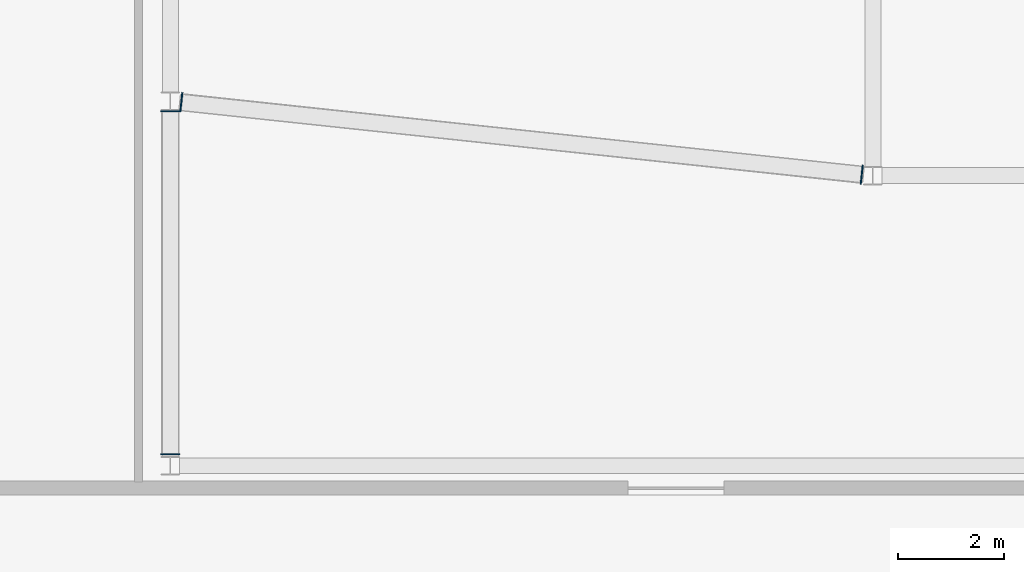
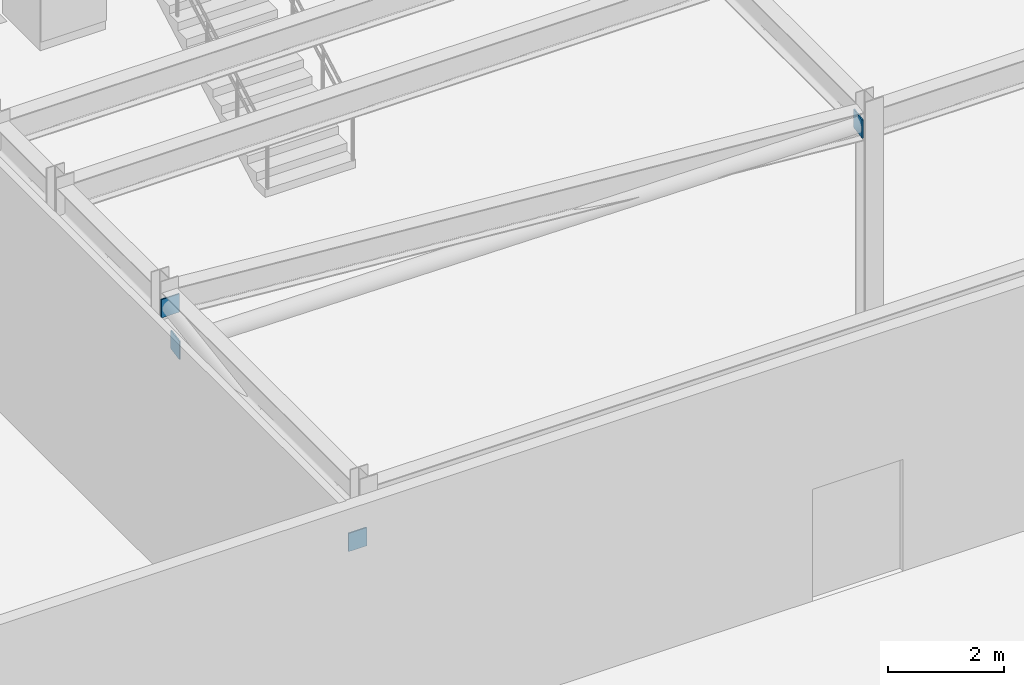
# One storey, part 5 of 20: 4 plates.
"""IFC4 building model written with IfcOpenShell, lengths in metres."""

from ifc_helpers import new_model, si_unit, direction, frame, origin, origin_2d, place, context, subcontext, project, spatial, rectangle, extrude, material, layer, layer_set, type_object, element, save


model = new_model("IFC4")

# Units and contexts
model_context = context("Model", 3, precision=1e-05, world=origin(), true_north=direction((0.0, 1.0)))
body_context = subcontext(model_context, "Body", "Model", "MODEL_VIEW")
ifc_project = project(units=[si_unit("LENGTHUNIT", "METRE"), si_unit("AREAUNIT", "SQUARE_METRE"), si_unit("VOLUMEUNIT", "CUBIC_METRE"), si_unit("PLANEANGLEUNIT", "RADIAN"), si_unit("MASSUNIT", "GRAM", prefix="KILO")], contexts=[model_context])

# Site, building, storey
site_placement = place(None, origin())
site = spatial("IfcSite", under=ifc_project, at=site_placement, CompositionType="ELEMENT")
building_placement = place(site_placement, origin())
building = spatial("IfcBuilding", under=site, at=building_placement, Name="Haolan Belvedere Tower", CompositionType="ELEMENT")
storey_placement = place(building_placement, origin())
storey = spatial("IfcBuildingStorey", under=building, at=storey_placement, Name="L00", CompositionType="ELEMENT", Elevation=0.0)

# Plates
ifc_material = material(Name="Steel Q355B", Category="steel")
ifc_layer = layer(ifc_material, 0.02490234375, Name="Steel Q355B")
ifc_layer_set = layer_set([ifc_layer], Name="Steel Q355B")
plate_type = type_object("IfcPlateType", Name="PL-CAP-25", PredefinedType="SHEET", material=ifc_layer_set)
for number, where, z_axis, x_axis, name in (
    (1, (18.0, 0.767578125, 3.65576171875), (0.0, 0.0, 1.0), (1.0, 0.0, 0.0), "Hollow steel end-cap plate CAN-STRUT-L00-1-CAP0"),
    (2, (18.0, 7.21240234375, 4.6591796875), (0.0, 0.0, 1.0), (-1.0, 0.0, 0.0), "Hollow steel end-cap plate CAN-STRUT-L00-1-CAP1"),
    (3, (18.20751953125, 7.38134765625, 3.65673828125), (0.0, 0.0, 1.0), (-0.10598639566, -0.994367579889, 0.0), "Hollow steel end-cap plate CAN-STRUT-L00-3-CAP0"),
    (4, (30.992431640625, 6.018798828125, 4.65869140625), (0.0, 0.0, 1.0), (0.10598639566, 0.994367579889, 0.0), "Hollow steel end-cap plate CAN-STRUT-L00-3-CAP1"),
):
    element("IfcPlate", number, at=place(storey_placement, frame(where, z_axis=z_axis, x_axis=x_axis)), inside=storey, type_object=plate_type, Name=name, PredefinedType="SHEET", context=body_context, shape_type="SweptSolid", body=[
        extrude(rectangle(XDim=0.364990234375, YDim=0.02490234375, at=origin_2d()), origin(), (0.0, 0.0, 1.0), 0.385009765625),
    ])

save(model, "model.ifc")
